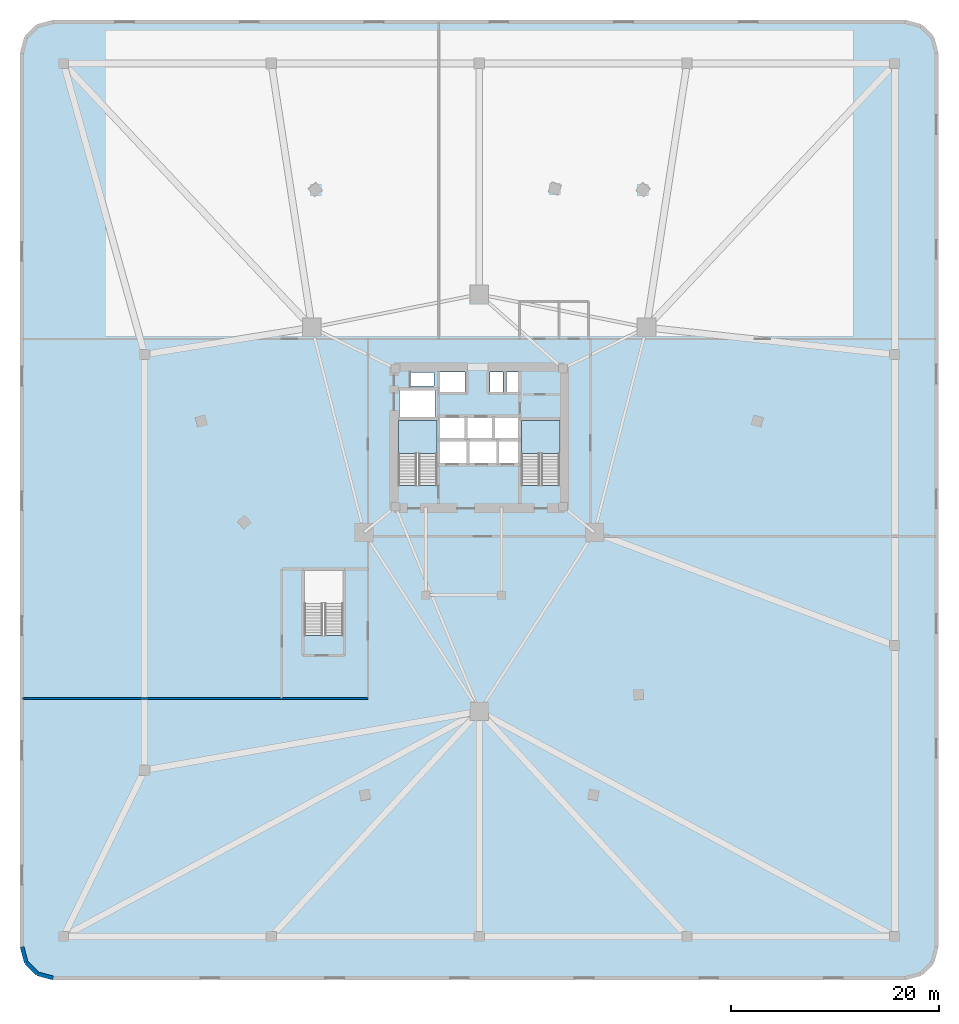
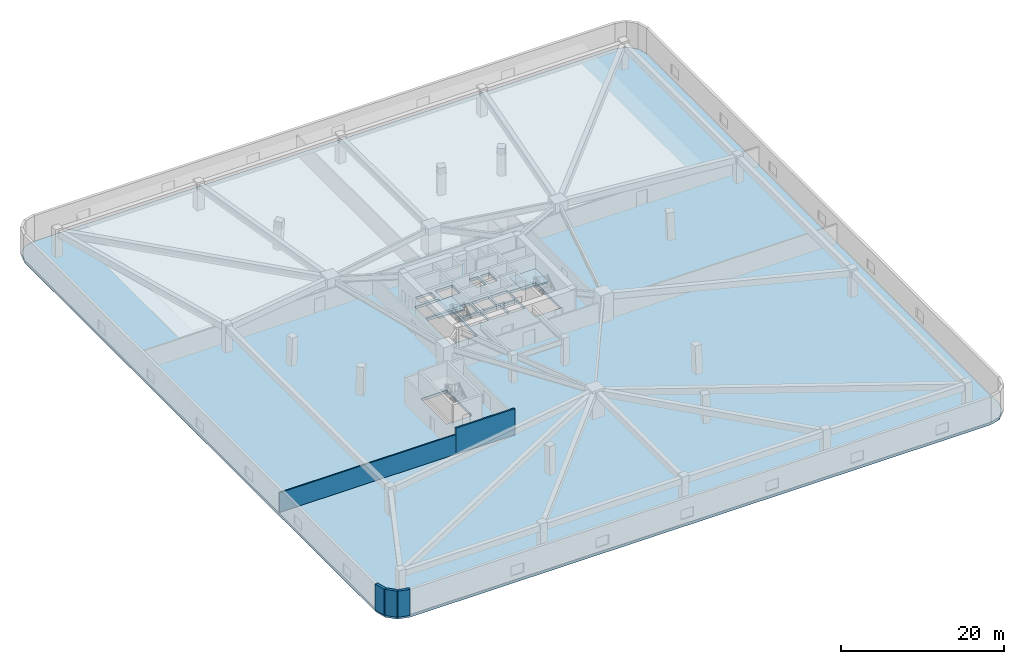
# One storey, part 2 of 10: 5 walls, 3 slabs, 2 elements without a shape of their own.
"""IFC4 building model written with IfcOpenShell, lengths in metres."""

from ifc_helpers import new_model, si_unit, direction, frame, frame_2d, origin, place, context, subcontext, project, spatial, polyline, rectangle, outline, extrude, material, layer, layer_set, type_object, element, aggregate, save


model = new_model("IFC4")

# Units and contexts
model_context = context("Model", 3, precision=1e-05, world=origin(), true_north=direction((0.0, 1.0)))
body_context = subcontext(model_context, "Body", "Model", "MODEL_VIEW")
ifc_project = project(units=[si_unit("LENGTHUNIT", "METRE"), si_unit("AREAUNIT", "SQUARE_METRE"), si_unit("VOLUMEUNIT", "CUBIC_METRE"), si_unit("PLANEANGLEUNIT", "RADIAN"), si_unit("MASSUNIT", "GRAM", prefix="KILO")], contexts=[model_context])

# Site, building, storey
site_placement = place(None, origin())
site = spatial("IfcSite", under=ifc_project, at=site_placement, CompositionType="ELEMENT")
building_placement = place(site_placement, origin())
building = spatial("IfcBuilding", under=site, at=building_placement, Name="Talyreon Biosciences Tower", CompositionType="ELEMENT")
storey_placement = place(building_placement, frame((0.0, 0.0, 10.199951171875)))
storey = spatial("IfcBuildingStorey", under=building, at=storey_placement, Name="L02", CompositionType="ELEMENT", Elevation=10.199951171875)

# Stair, slab
ifc_material_1 = material(Name="Concrete C40/50", Category="concrete")
stair_type = type_object("IfcStairType", Name="DoglegEscapeStair_4200", PredefinedType="HALF_TURN_STAIR", material=ifc_material_1)
stair_1_placement = place(storey_placement, origin())
stair_1 = element("IfcStair", 1, at=stair_1_placement, inside=storey, type_object=stair_type, Name="L02 Core Escape Stair 1", PredefinedType="HALF_TURN_STAIR")
ifc_layer_1 = layer(ifc_material_1, 0.199951171875)
ifc_layer_set_1 = layer_set([ifc_layer_1], Name="Concrete C40/50")
slab_type_1 = type_object("IfcSlabType", Name="StairLandingSlab_200", PredefinedType="LANDING", material=ifc_layer_set_1)
slab_1_placement = place(storey_placement, frame((0.0, 0.0, 1.900146484375)))
slab_1 = element("IfcSlab", 2, at=slab_1_placement, type_object=slab_type_1, Name="ST-1 landing 1", PredefinedType="LANDING", context=body_context, shape_type="SweptSolid", body=[
    extrude(outline(polyline([(61.929931640625, 66.47998046875), (61.929931640625, 69.64990234375), (58.25, 69.64990234375), (58.25, 66.47998046875), (61.929931640625, 66.47998046875)])), origin(), (0.0, 0.0, 1.0), 0.199951171875),
])
aggregate(stair_1, [slab_1])

stair_2_placement = place(storey_placement, origin())
stair_2 = element("IfcStair", 3, at=stair_2_placement, inside=storey, type_object=stair_type, Name="L02 Core Escape Stair 2", PredefinedType="HALF_TURN_STAIR")
slab_2_placement = place(storey_placement, frame((0.0, 0.0, 1.900146484375)))
slab_2 = element("IfcSlab", 4, at=slab_2_placement, type_object=slab_type_1, Name="ST-2 landing 1", PredefinedType="LANDING", context=body_context, shape_type="SweptSolid", body=[
    extrude(outline(polyline([(73.75, 66.47998046875), (73.75, 69.64990234375), (70.070068359375, 69.64990234375), (70.070068359375, 66.47998046875), (73.75, 66.47998046875)])), origin(), (0.0, 0.0, 1.0), 0.199951171875),
])
aggregate(stair_2, [slab_2])

# Slab
ifc_material_2 = material(Name="Concrete C50/60", Category="concrete")
ifc_layer_2 = layer(ifc_material_2, 0.39990234375)
ifc_layer_set_2 = layer_set([ifc_layer_2], Name="Concrete C50/60")
slab_type_2 = type_object("IfcSlabType", Name="TransferDeckSlab_400", PredefinedType="FLOOR", material=ifc_layer_set_2)
slab_3_placement = place(storey_placement, frame((0.0, 0.0, -0.39990234375)))
element("IfcSlab", 5, at=slab_3_placement, inside=storey, type_object=slab_type_2, Name="L02 Structural Floor Slab", PredefinedType="FLOOR", context=body_context, shape_type="SweptSolid", body=[
    extrude(outline(polyline([(107.0, 16.0), (25.0, 16.0), (23.5, 16.40185546875), (22.40185546875, 17.5), (22.0, 19.0), (22.0, 105.0), (22.40185546875, 106.5), (23.5, 107.59814453125), (25.0, 108.0), (107.0, 108.0), (108.5, 107.59814453125), (109.59814453125, 106.5), (110.0, 105.0), (110.0, 19.0), (109.59814453125, 17.5), (108.5, 16.40185546875), (107.0, 16.0)]), holes=[polyline([(52.8798828125, 55.199951171875), (52.8798828125, 48.9580078125), (49.199951171875, 48.9580078125), (49.199951171875, 55.199951171875), (52.8798828125, 55.199951171875)]), polyline([(61.929931640625, 63.407958984375), (58.25, 63.407958984375), (58.25, 69.64990234375), (61.929931640625, 69.64990234375), (61.929931640625, 63.407958984375)]), polyline([(64.800048828125, 65.550048828125), (62.199951171875, 65.550048828125), (62.199951171875, 67.64990234375), (64.800048828125, 67.64990234375), (64.800048828125, 65.550048828125)]), polyline([(64.60009765625, 67.949951171875), (62.199951171875, 67.949951171875), (62.199951171875, 69.949951171875), (64.60009765625, 69.949951171875), (64.60009765625, 67.949951171875)]), polyline([(61.75, 69.97998046875), (58.35009765625, 69.97998046875), (58.35009765625, 72.550048828125), (61.75, 72.550048828125), (61.75, 69.97998046875)]), polyline([(64.64990234375, 72.35009765625), (62.199951171875, 72.35009765625), (62.199951171875, 74.300048828125), (64.64990234375, 74.300048828125), (64.64990234375, 72.35009765625)]), polyline([(61.64990234375, 72.9599609375), (59.39990234375, 72.9599609375), (59.39990234375, 74.25), (61.64990234375, 74.25), (61.64990234375, 72.9599609375)]), polyline([(73.75, 69.64990234375), (73.75, 63.407958984375), (70.070068359375, 63.407958984375), (70.070068359375, 69.64990234375), (73.75, 69.64990234375)]), polyline([(67.64990234375, 65.550048828125), (65.050048828125, 65.550048828125), (65.050048828125, 67.64990234375), (67.64990234375, 67.64990234375), (67.64990234375, 65.550048828125)]), polyline([(69.89990234375, 65.550048828125), (67.89990234375, 65.550048828125), (67.89990234375, 67.64990234375), (69.89990234375, 67.64990234375), (69.89990234375, 65.550048828125)]), polyline([(67.25, 67.949951171875), (64.85009765625, 67.949951171875), (64.85009765625, 69.949951171875), (67.25, 69.949951171875), (67.25, 67.949951171875)]), polyline([(69.89990234375, 67.949951171875), (67.5, 67.949951171875), (67.5, 69.949951171875), (69.89990234375, 69.949951171875), (69.89990234375, 67.949951171875)]), polyline([(68.300048828125, 72.35009765625), (67.050048828125, 72.35009765625), (67.050048828125, 74.300048828125), (68.300048828125, 74.300048828125), (68.300048828125, 72.35009765625)]), polyline([(69.919921875, 72.35009765625), (68.6201171875, 72.35009765625), (68.6201171875, 74.300048828125), (69.919921875, 74.300048828125), (69.919921875, 72.35009765625)])]), origin(), (0.0, 0.0, 1.0), 0.39990234375),
])

# Walls
ifc_material_3 = material(Name="Gypsum fireboard acoustic stud", Category="gypsum")
ifc_layer_3 = layer(ifc_material_3, 0.219970703125)
ifc_layer_set_3 = layer_set([ifc_layer_3], Name="Gypsum fireboard acoustic stud")
wall_type_1 = type_object("IfcWallType", Name="CorridorRatedPartition_220", PredefinedType="PARTITIONING", material=ifc_layer_set_3)
wall_1_placement = place(storey_placement, frame((47.0, 42.89990234375, 0.0), z_axis=(0.0, 0.0, 1.0), x_axis=(1.0, 0.0, 0.0)))
element("IfcWall", 6, at=wall_1_placement, inside=storey, type_object=wall_type_1, Name="L02 Interior Wall IW-L02-SCORS", PredefinedType="PARTITIONING", context=body_context, shape_type="SweptSolid", body=[
    extrude(rectangle(XDim=8.300048828125, YDim=0.219970703125, at=frame_2d((4.14990234375, 0.0))), origin(), (0.0, 0.0, 1.0), 3.900146484375),
])
ifc_material_4 = material(Name="Gypsum acoustic stud partition", Category="gypsum")
ifc_layer_4 = layer(ifc_material_4, 0.159912109375)
ifc_layer_set_4 = layer_set([ifc_layer_4], Name="Gypsum acoustic stud partition")
wall_type_2 = type_object("IfcWallType", Name="LabSeparationPartition_160", PredefinedType="PARTITIONING", material=ifc_layer_set_4)
wall_2_placement = place(storey_placement, frame((22.0849609375, 42.89990234375, 0.0), z_axis=(0.0, 0.0, 1.0), x_axis=(1.0, 0.0, 0.0)))
element("IfcWall", 7, at=wall_2_placement, inside=storey, type_object=wall_type_2, Name="L02 Interior Wall IW-L02-SWW", PredefinedType="PARTITIONING", context=body_context, shape_type="SweptSolid", body=[
    extrude(rectangle(XDim=24.9150390625, YDim=0.159912109375, at=frame_2d((12.45751953125, 0.0))), origin(), (0.0, 0.0, 1.0), 2.929931640625),
])
ifc_material_5 = material(Name="Precast concrete C45/55", Category="concrete")
ifc_layer_5 = layer(ifc_material_5, 0.3798828125)
ifc_layer_set_5 = layer_set([ifc_layer_5], Name="Precast concrete C45/55")
wall_type_3 = type_object("IfcWallType", Name="PrecastConcretePodiumWall_380", PredefinedType="STANDARD", material=ifc_layer_set_5)
for number, where, z_axis, x_axis, name in (
    (8, (25.0, 16.0, 0.0), (0.0, 0.0, 1.0), (-0.965936824201, 0.258777996848, 0.0), "L02 Podium Concrete Frame Wall 02"),
    (9, (23.5, 16.40185546875, 0.0), (0.0, 0.0, 1.0), (-0.707106781187, 0.707106781187, 0.0), "L02 Podium Concrete Frame Wall 03"),
    (10, (22.40185546875, 17.5, 0.0), (0.0, 0.0, 1.0), (-0.258777996848, 0.965936824201, 0.0), "L02 Podium Concrete Frame Wall 04"),
):
    element("IfcWall", number, at=place(storey_placement, frame(where, z_axis=z_axis, x_axis=x_axis)), inside=storey, type_object=wall_type_3, Name=name, PredefinedType="STANDARD", context=body_context, shape_type="SweptSolid", body=[
        extrude(rectangle(XDim=1.552978515625, YDim=0.3798828125, at=frame_2d((0.7763671875, 0.0))), origin(), (0.0, 0.0, 1.0), 3.900146484375),
    ])

save(model, "model.ifc")
